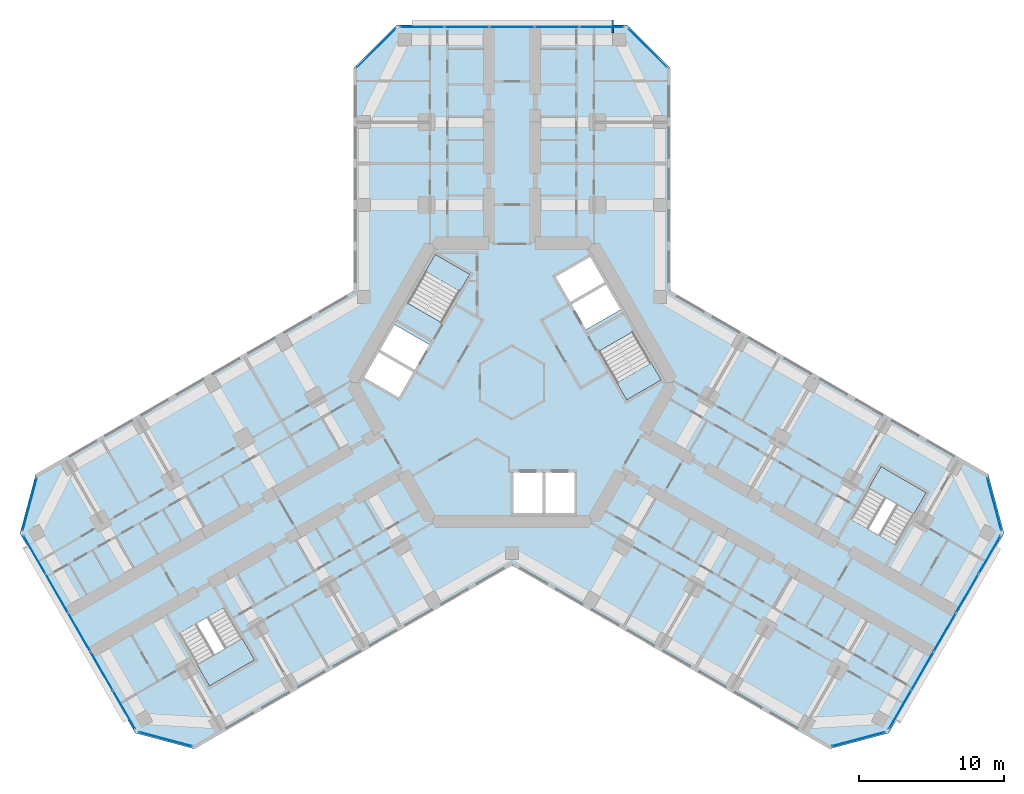
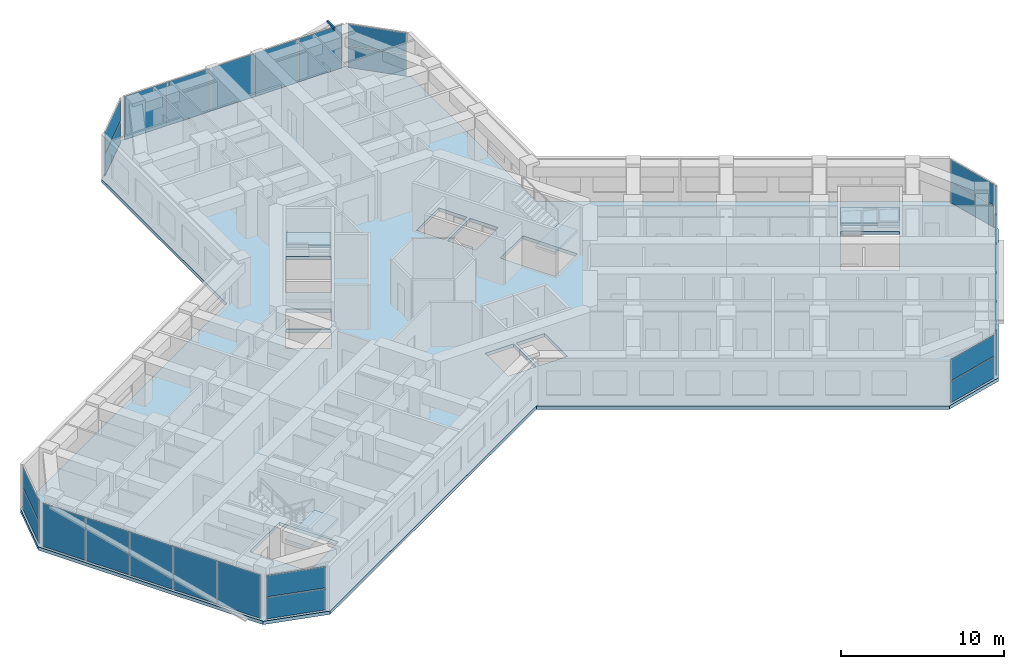
# One storey, part 9 of 19: 27 plates, 5 slabs, 1 member, 13 elements without a shape of their own.
"""IFC4 building model written with IfcOpenShell, lengths in metres."""

from ifc_helpers import new_model, si_unit, direction, frame, origin, origin_2d, place, context, subcontext, project, spatial, polyline, rectangle, hollow_rectangle, outline, extrude, material, layer, layer_set, material_profile, profile_set, type_object, element, aggregate, save


model = new_model("IFC4")

# Units and contexts
model_context = context("Model", 3, precision=1e-05, world=origin(), true_north=direction((0.0, 1.0)))
body_context = subcontext(model_context, "Body", "Model", "MODEL_VIEW")
ifc_project = project(units=[si_unit("LENGTHUNIT", "METRE"), si_unit("AREAUNIT", "SQUARE_METRE"), si_unit("VOLUMEUNIT", "CUBIC_METRE"), si_unit("PLANEANGLEUNIT", "RADIAN"), si_unit("MASSUNIT", "GRAM", prefix="KILO")], contexts=[model_context])

# Site, building, storey
site_placement = place(None, origin())
site = spatial("IfcSite", under=ifc_project, at=site_placement, CompositionType="ELEMENT")
building_placement = place(site_placement, origin())
building = spatial("IfcBuilding", under=site, at=building_placement, Name="Kosmar Iwan School Tower", CompositionType="ELEMENT")
storey_placement = place(building_placement, frame((0.0, 0.0, 172.39990234375)))
storey = spatial("IfcBuildingStorey", under=building, at=storey_placement, Name="L43", CompositionType="ELEMENT", Elevation=172.39990234375)

# Member
ifc_material_1 = material(Name="Steel S355", Category="steel")
ifc_material_profile = material_profile(ifc_material_1, hollow_rectangle(XDim=0.10009765625, YDim=0.199951171875, WallThickness=0.008056640625, at=origin_2d()), Name="RHS 200x100x8")
ifc_profile_set = profile_set([ifc_material_profile], Name="Steel S355")
member_type = type_object("IfcMemberType", Name="Fin bracket RHS 200x100", PredefinedType="USERDEFINED", material=ifc_profile_set)
member_placement = place(storey_placement, frame((6.949951171875, 24.10009765625, 3.47509765625), z_axis=(0.0, 1.0, 0.0), x_axis=(-1.0, 0.0, 0.0)))
element("IfcMember", 1, at=member_placement, inside=storey, type_object=member_type, Name="Fin bracket L44", ObjectType="FIN BRACKET", PredefinedType="USERDEFINED", context=body_context, shape_type="SweptSolid", body=[
    extrude(hollow_rectangle(XDim=0.10009765625, YDim=0.199951171875, WallThickness=0.008056640625, at=origin_2d()), origin(), (0.0, 0.0, 1.0), 0.89990234375),
])

# Curtain wall, plates
ifc_material_2 = material(Name="Dark glass in black aluminium frame", Category="aluminium")
curtain_wall_type_1 = type_object("IfcCurtainWallType", Name="Chamfer curtain wall dark glass", PredefinedType="USERDEFINED", material=ifc_material_2)
curtain_wall_1_placement = place(storey_placement, origin())
curtain_wall_1 = element("IfcCurtainWall", 2, at=curtain_wall_1_placement, inside=storey, type_object=curtain_wall_type_1, Name="Curtain wall L43-F02", ObjectType="FACETED CURTAIN WALL", PredefinedType="USERDEFINED")
ifc_material_3 = material(Name="Dark glass", Category="glass")
ifc_layer_1 = layer(ifc_material_3, 0.028076171875)
ifc_layer_set_1 = layer_set([ifc_layer_1], Name="Dark glass panel 28")
plate_type = type_object("IfcPlateType", Name="Dark glass panel 28", PredefinedType="CURTAIN_PANEL", material=ifc_layer_set_1)
plate_1_placement = place(storey_placement, frame((23.908203125, -24.61328125, 0.06005859375), z_axis=(0.0, 0.0, 1.0), x_axis=(0.965925875495, 0.258818861462, 0.0)))
plate_1 = element("IfcPlate", 3, at=plate_1_placement, type_object=plate_type, Name="CW2 panel 1.1", PredefinedType="CURTAIN_PANEL", context=body_context, shape_type="SweptSolid", body=[
    extrude(rectangle(XDim=3.718994140625, YDim=0.028076171875, at=origin_2d()), origin(), (0.0, 0.0, 1.0), 1.5849609375),
])
plate_2_placement = place(storey_placement, frame((23.908203125, -24.61328125, 1.705078125), z_axis=(0.0, 0.0, 1.0), x_axis=(0.965925875495, 0.258818861462, 0.0)))
plate_2 = element("IfcPlate", 4, at=plate_2_placement, type_object=plate_type, Name="CW2 panel 1.2", PredefinedType="CURTAIN_PANEL", context=body_context, shape_type="SweptSolid", body=[
    extrude(rectangle(XDim=3.718994140625, YDim=0.028076171875, at=origin_2d()), origin(), (0.0, 0.0, 1.0), 1.5849609375),
])
aggregate(curtain_wall_1, [plate_1, plate_2])

ifc_material_4 = material(Name="Dark glass in black aluminium frame", Category="aluminium")
curtain_wall_type_2 = type_object("IfcCurtainWallType", Name="Tower curtain wall dark glass", PredefinedType="USERDEFINED", material=ifc_material_4)
curtain_wall_2_placement = place(storey_placement, origin())
curtain_wall_2 = element("IfcCurtainWall", 5, at=curtain_wall_2_placement, inside=storey, type_object=curtain_wall_type_2, Name="Curtain wall L43-F03", ObjectType="UNITISED CURTAIN WALL", PredefinedType="USERDEFINED")
plate_3_placement = place(storey_placement, frame((26.764404296875, -22.592529296875, 0.06005859375), z_axis=(0.0, 0.0, 1.0), x_axis=(0.499999997325, 0.866025405329, 0.0)))
plate_3 = element("IfcPlate", 6, at=plate_3_placement, type_object=plate_type, Name="CW1 panel 1.1", PredefinedType="CURTAIN_PANEL", context=body_context, shape_type="SweptSolid", body=[
    extrude(rectangle(XDim=3.00927734375, YDim=0.028076171875, at=origin_2d()), origin(), (0.0, 0.0, 1.0), 3.22998046875),
])
plate_4_placement = place(storey_placement, frame((28.306640625, -19.921630859375, 0.06005859375), z_axis=(0.0, 0.0, 1.0), x_axis=(0.499999997325, 0.866025405329, 0.0)))
plate_4 = element("IfcPlate", 7, at=plate_4_placement, type_object=plate_type, Name="CW1 panel 2.1", PredefinedType="CURTAIN_PANEL", context=body_context, shape_type="SweptSolid", body=[
    extrude(rectangle(XDim=3.039306640625, YDim=0.028076171875, at=origin_2d()), origin(), (0.0, 0.0, 1.0), 3.22998046875),
])
plate_5_placement = place(storey_placement, frame((29.856201171875, -17.237548828125, 0.06005859375), z_axis=(0.0, 0.0, 1.0), x_axis=(0.499999997325, 0.866025405329, 0.0)))
plate_5 = element("IfcPlate", 8, at=plate_5_placement, type_object=plate_type, Name="CW1 panel 3.1", PredefinedType="CURTAIN_PANEL", context=body_context, shape_type="SweptSolid", body=[
    extrude(rectangle(XDim=3.039306640625, YDim=0.028076171875, at=origin_2d()), origin(), (0.0, 0.0, 1.0), 3.22998046875),
])
plate_6_placement = place(storey_placement, frame((31.40576171875, -14.553466796875, 0.06005859375), z_axis=(0.0, 0.0, 1.0), x_axis=(0.499999997325, 0.866025405329, 0.0)))
plate_6 = element("IfcPlate", 9, at=plate_6_placement, type_object=plate_type, Name="CW1 panel 4.1", PredefinedType="CURTAIN_PANEL", context=body_context, shape_type="SweptSolid", body=[
    extrude(rectangle(XDim=3.039306640625, YDim=0.028076171875, at=origin_2d()), origin(), (0.0, 0.0, 1.0), 3.22998046875),
])
plate_7_placement = place(storey_placement, frame((32.947998046875, -11.88232421875, 0.06005859375), z_axis=(0.0, 0.0, 1.0), x_axis=(0.499999997325, 0.866025405329, 0.0)))
plate_7 = element("IfcPlate", 10, at=plate_7_placement, type_object=plate_type, Name="CW1 panel 5.1", PredefinedType="CURTAIN_PANEL", context=body_context, shape_type="SweptSolid", body=[
    extrude(rectangle(XDim=3.00927734375, YDim=0.028076171875, at=origin_2d()), origin(), (0.0, 0.0, 1.0), 3.22998046875),
])
aggregate(curtain_wall_2, [plate_3, plate_4, plate_5, plate_6, plate_7])

curtain_wall_3_placement = place(storey_placement, origin())
curtain_wall_3 = element("IfcCurtainWall", 11, at=curtain_wall_3_placement, inside=storey, type_object=curtain_wall_type_1, Name="Curtain wall L43-F04", ObjectType="FACETED CURTAIN WALL", PredefinedType="USERDEFINED")
plate_8_placement = place(storey_placement, frame((33.269775390625, -8.3984375, 0.06005859375), z_axis=(0.0, 0.0, 1.0), x_axis=(-0.258818861462, 0.965925875495, 0.0)))
plate_8 = element("IfcPlate", 12, at=plate_8_placement, type_object=plate_type, Name="CW2 panel 1.1", PredefinedType="CURTAIN_PANEL", context=body_context, shape_type="SweptSolid", body=[
    extrude(rectangle(XDim=3.718994140625, YDim=0.028076171875, at=origin_2d()), origin(), (0.0, 0.0, 1.0), 1.5849609375),
])
plate_9_placement = place(storey_placement, frame((33.269775390625, -8.3984375, 1.705078125), z_axis=(0.0, 0.0, 1.0), x_axis=(-0.258818861462, 0.965925875495, 0.0)))
plate_9 = element("IfcPlate", 13, at=plate_9_placement, type_object=plate_type, Name="CW2 panel 1.2", PredefinedType="CURTAIN_PANEL", context=body_context, shape_type="SweptSolid", body=[
    extrude(rectangle(XDim=3.718994140625, YDim=0.028076171875, at=origin_2d()), origin(), (0.0, 0.0, 1.0), 1.5849609375),
])
aggregate(curtain_wall_3, [plate_8, plate_9])

curtain_wall_4_placement = place(storey_placement, origin())
curtain_wall_4 = element("IfcCurtainWall", 14, at=curtain_wall_4_placement, inside=storey, type_object=curtain_wall_type_1, Name="Curtain wall L43-F07", ObjectType="FACETED CURTAIN WALL", PredefinedType="USERDEFINED")
plate_10_placement = place(storey_placement, frame((9.361572265625, 23.0615234375, 0.06005859375), z_axis=(0.0, 0.0, 1.0), x_axis=(-0.707106781187, 0.707106781187, 0.0)))
plate_10 = element("IfcPlate", 15, at=plate_10_placement, type_object=plate_type, Name="CW2 panel 1.1", PredefinedType="CURTAIN_PANEL", context=body_context, shape_type="SweptSolid", body=[
    extrude(rectangle(XDim=3.718994140625, YDim=0.028076171875, at=origin_2d()), origin(), (0.0, 0.0, 1.0), 1.5849609375),
])
plate_11_placement = place(storey_placement, frame((9.361572265625, 23.0615234375, 1.705078125), z_axis=(0.0, 0.0, 1.0), x_axis=(-0.707106781187, 0.707106781187, 0.0)))
plate_11 = element("IfcPlate", 16, at=plate_11_placement, type_object=plate_type, Name="CW2 panel 1.2", PredefinedType="CURTAIN_PANEL", context=body_context, shape_type="SweptSolid", body=[
    extrude(rectangle(XDim=3.718994140625, YDim=0.028076171875, at=origin_2d()), origin(), (0.0, 0.0, 1.0), 1.5849609375),
])
aggregate(curtain_wall_4, [plate_10, plate_11])

curtain_wall_5_placement = place(storey_placement, origin())
curtain_wall_5 = element("IfcCurtainWall", 17, at=curtain_wall_5_placement, inside=storey, type_object=curtain_wall_type_2, Name="Curtain wall L43-F08", ObjectType="UNITISED CURTAIN WALL", PredefinedType="USERDEFINED")
plate_12_placement = place(storey_placement, frame((6.18359375, 24.52490234375, 0.06005859375), z_axis=(0.0, 0.0, 1.0), x_axis=(-1.0, 0.0, 0.0)))
plate_12 = element("IfcPlate", 18, at=plate_12_placement, type_object=plate_type, Name="CW1 panel 1.1", PredefinedType="CURTAIN_PANEL", context=body_context, shape_type="SweptSolid", body=[
    extrude(rectangle(XDim=3.00927734375, YDim=0.028076171875, at=origin_2d()), origin(), (0.0, 0.0, 1.0), 3.22998046875),
])
plate_13_placement = place(storey_placement, frame((3.099365234375, 24.52490234375, 0.06005859375), z_axis=(0.0, 0.0, 1.0), x_axis=(-1.0, 0.0, 0.0)))
plate_13 = element("IfcPlate", 19, at=plate_13_placement, type_object=plate_type, Name="CW1 panel 2.1", PredefinedType="CURTAIN_PANEL", context=body_context, shape_type="SweptSolid", body=[
    extrude(rectangle(XDim=3.039306640625, YDim=0.028076171875, at=origin_2d()), origin(), (0.0, 0.0, 1.0), 3.22998046875),
])
plate_14_placement = place(storey_placement, frame((0.0, 24.52490234375, 0.06005859375), z_axis=(0.0, 0.0, 1.0), x_axis=(-1.0, 0.0, 0.0)))
plate_14 = element("IfcPlate", 20, at=plate_14_placement, type_object=plate_type, Name="CW1 panel 3.1", PredefinedType="CURTAIN_PANEL", context=body_context, shape_type="SweptSolid", body=[
    extrude(rectangle(XDim=3.039306640625, YDim=0.028076171875, at=origin_2d()), origin(), (0.0, 0.0, 1.0), 3.22998046875),
])
plate_15_placement = place(storey_placement, frame((-3.099365234375, 24.52490234375, 0.06005859375), z_axis=(0.0, 0.0, 1.0), x_axis=(-1.0, 0.0, 0.0)))
plate_15 = element("IfcPlate", 21, at=plate_15_placement, type_object=plate_type, Name="CW1 panel 4.1", PredefinedType="CURTAIN_PANEL", context=body_context, shape_type="SweptSolid", body=[
    extrude(rectangle(XDim=3.039306640625, YDim=0.028076171875, at=origin_2d()), origin(), (0.0, 0.0, 1.0), 3.22998046875),
])
plate_16_placement = place(storey_placement, frame((-6.18359375, 24.52490234375, 0.06005859375), z_axis=(0.0, 0.0, 1.0), x_axis=(-1.0, 0.0, 0.0)))
plate_16 = element("IfcPlate", 22, at=plate_16_placement, type_object=plate_type, Name="CW1 panel 5.1", PredefinedType="CURTAIN_PANEL", context=body_context, shape_type="SweptSolid", body=[
    extrude(rectangle(XDim=3.00927734375, YDim=0.028076171875, at=origin_2d()), origin(), (0.0, 0.0, 1.0), 3.22998046875),
])
aggregate(curtain_wall_5, [plate_12, plate_13, plate_14, plate_15, plate_16])

curtain_wall_6_placement = place(storey_placement, origin())
curtain_wall_6 = element("IfcCurtainWall", 23, at=curtain_wall_6_placement, inside=storey, type_object=curtain_wall_type_1, Name="Curtain wall L43-F09", ObjectType="FACETED CURTAIN WALL", PredefinedType="USERDEFINED")
plate_17_placement = place(storey_placement, frame((-9.361572265625, 23.0615234375, 0.06005859375), z_axis=(0.0, 0.0, 1.0), x_axis=(-0.707106781187, -0.707106781187, 0.0)))
plate_17 = element("IfcPlate", 24, at=plate_17_placement, type_object=plate_type, Name="CW2 panel 1.1", PredefinedType="CURTAIN_PANEL", context=body_context, shape_type="SweptSolid", body=[
    extrude(rectangle(XDim=3.718994140625, YDim=0.028076171875, at=origin_2d()), origin(), (0.0, 0.0, 1.0), 1.5849609375),
])
plate_18_placement = place(storey_placement, frame((-9.361572265625, 23.0615234375, 1.705078125), z_axis=(0.0, 0.0, 1.0), x_axis=(-0.707106781187, -0.707106781187, 0.0)))
plate_18 = element("IfcPlate", 25, at=plate_18_placement, type_object=plate_type, Name="CW2 panel 1.2", PredefinedType="CURTAIN_PANEL", context=body_context, shape_type="SweptSolid", body=[
    extrude(rectangle(XDim=3.718994140625, YDim=0.028076171875, at=origin_2d()), origin(), (0.0, 0.0, 1.0), 1.5849609375),
])
aggregate(curtain_wall_6, [plate_17, plate_18])

curtain_wall_7_placement = place(storey_placement, origin())
curtain_wall_7 = element("IfcCurtainWall", 26, at=curtain_wall_7_placement, inside=storey, type_object=curtain_wall_type_1, Name="Curtain wall L43-F12", ObjectType="FACETED CURTAIN WALL", PredefinedType="USERDEFINED")
plate_19_placement = place(storey_placement, frame((-33.269775390625, -8.3984375, 0.06005859375), z_axis=(0.0, 0.0, 1.0), x_axis=(-0.258818861462, -0.965925875495, 0.0)))
plate_19 = element("IfcPlate", 27, at=plate_19_placement, type_object=plate_type, Name="CW2 panel 1.1", PredefinedType="CURTAIN_PANEL", context=body_context, shape_type="SweptSolid", body=[
    extrude(rectangle(XDim=3.718994140625, YDim=0.028076171875, at=origin_2d()), origin(), (0.0, 0.0, 1.0), 1.5849609375),
])
plate_20_placement = place(storey_placement, frame((-33.269775390625, -8.3984375, 1.705078125), z_axis=(0.0, 0.0, 1.0), x_axis=(-0.258818861462, -0.965925875495, 0.0)))
plate_20 = element("IfcPlate", 28, at=plate_20_placement, type_object=plate_type, Name="CW2 panel 1.2", PredefinedType="CURTAIN_PANEL", context=body_context, shape_type="SweptSolid", body=[
    extrude(rectangle(XDim=3.718994140625, YDim=0.028076171875, at=origin_2d()), origin(), (0.0, 0.0, 1.0), 1.5849609375),
])
aggregate(curtain_wall_7, [plate_19, plate_20])

curtain_wall_8_placement = place(storey_placement, origin())
curtain_wall_8 = element("IfcCurtainWall", 29, at=curtain_wall_8_placement, inside=storey, type_object=curtain_wall_type_2, Name="Curtain wall L43-F13", ObjectType="UNITISED CURTAIN WALL", PredefinedType="USERDEFINED")
plate_21_placement = place(storey_placement, frame((-32.947998046875, -11.88232421875, 0.06005859375), z_axis=(0.0, 0.0, 1.0), x_axis=(0.499999997325, -0.866025405329, 0.0)))
plate_21 = element("IfcPlate", 30, at=plate_21_placement, type_object=plate_type, Name="CW1 panel 1.1", PredefinedType="CURTAIN_PANEL", context=body_context, shape_type="SweptSolid", body=[
    extrude(rectangle(XDim=3.00927734375, YDim=0.028076171875, at=origin_2d()), origin(), (0.0, 0.0, 1.0), 3.22998046875),
])
plate_22_placement = place(storey_placement, frame((-31.40576171875, -14.553466796875, 0.06005859375), z_axis=(0.0, 0.0, 1.0), x_axis=(0.499999997325, -0.866025405329, 0.0)))
plate_22 = element("IfcPlate", 31, at=plate_22_placement, type_object=plate_type, Name="CW1 panel 2.1", PredefinedType="CURTAIN_PANEL", context=body_context, shape_type="SweptSolid", body=[
    extrude(rectangle(XDim=3.039306640625, YDim=0.028076171875, at=origin_2d()), origin(), (0.0, 0.0, 1.0), 3.22998046875),
])
plate_23_placement = place(storey_placement, frame((-29.856201171875, -17.237548828125, 0.06005859375), z_axis=(0.0, 0.0, 1.0), x_axis=(0.499999997325, -0.866025405329, 0.0)))
plate_23 = element("IfcPlate", 32, at=plate_23_placement, type_object=plate_type, Name="CW1 panel 3.1", PredefinedType="CURTAIN_PANEL", context=body_context, shape_type="SweptSolid", body=[
    extrude(rectangle(XDim=3.039306640625, YDim=0.028076171875, at=origin_2d()), origin(), (0.0, 0.0, 1.0), 3.22998046875),
])
plate_24_placement = place(storey_placement, frame((-28.306640625, -19.921630859375, 0.06005859375), z_axis=(0.0, 0.0, 1.0), x_axis=(0.499999997325, -0.866025405329, 0.0)))
plate_24 = element("IfcPlate", 33, at=plate_24_placement, type_object=plate_type, Name="CW1 panel 4.1", PredefinedType="CURTAIN_PANEL", context=body_context, shape_type="SweptSolid", body=[
    extrude(rectangle(XDim=3.039306640625, YDim=0.028076171875, at=origin_2d()), origin(), (0.0, 0.0, 1.0), 3.22998046875),
])
plate_25_placement = place(storey_placement, frame((-26.764404296875, -22.592529296875, 0.06005859375), z_axis=(0.0, 0.0, 1.0), x_axis=(0.499999997325, -0.866025405329, 0.0)))
plate_25 = element("IfcPlate", 34, at=plate_25_placement, type_object=plate_type, Name="CW1 panel 5.1", PredefinedType="CURTAIN_PANEL", context=body_context, shape_type="SweptSolid", body=[
    extrude(rectangle(XDim=3.00927734375, YDim=0.028076171875, at=origin_2d()), origin(), (0.0, 0.0, 1.0), 3.22998046875),
])
aggregate(curtain_wall_8, [plate_21, plate_22, plate_23, plate_24, plate_25])

curtain_wall_9_placement = place(storey_placement, origin())
curtain_wall_9 = element("IfcCurtainWall", 35, at=curtain_wall_9_placement, inside=storey, type_object=curtain_wall_type_1, Name="Curtain wall L43-F14", ObjectType="FACETED CURTAIN WALL", PredefinedType="USERDEFINED")
plate_26_placement = place(storey_placement, frame((-23.908203125, -24.61328125, 0.06005859375), z_axis=(0.0, 0.0, 1.0), x_axis=(0.965925875495, -0.258818861462, 0.0)))
plate_26 = element("IfcPlate", 36, at=plate_26_placement, type_object=plate_type, Name="CW2 panel 1.1", PredefinedType="CURTAIN_PANEL", context=body_context, shape_type="SweptSolid", body=[
    extrude(rectangle(XDim=3.718994140625, YDim=0.028076171875, at=origin_2d()), origin(), (0.0, 0.0, 1.0), 1.5849609375),
])
plate_27_placement = place(storey_placement, frame((-23.908203125, -24.61328125, 1.705078125), z_axis=(0.0, 0.0, 1.0), x_axis=(0.965925875495, -0.258818861462, 0.0)))
plate_27 = element("IfcPlate", 37, at=plate_27_placement, type_object=plate_type, Name="CW2 panel 1.2", PredefinedType="CURTAIN_PANEL", context=body_context, shape_type="SweptSolid", body=[
    extrude(rectangle(XDim=3.718994140625, YDim=0.028076171875, at=origin_2d()), origin(), (0.0, 0.0, 1.0), 1.5849609375),
])
aggregate(curtain_wall_9, [plate_26, plate_27])

# Stair, slab
ifc_material_5 = material(Name="Concrete C35/45", Category="concrete")
stair_type_1 = type_object("IfcStairType", Name="Escape stair 3600", PredefinedType="HALF_TURN_STAIR", material=ifc_material_5)
stair_1_placement = place(storey_placement, origin())
stair_1 = element("IfcStair", 38, at=stair_1_placement, inside=storey, type_object=stair_type_1, Name="Stair WS2 L43", PredefinedType="HALF_TURN_STAIR")
ifc_material_6 = material(Name="Concrete C35/45", Category="concrete")
ifc_layer_2 = layer(ifc_material_6, 0.199951171875)
ifc_layer_set_2 = layer_set([ifc_layer_2], Name="Escape stair landing 200")
slab_type_1 = type_object("IfcSlabType", Name="Escape stair landing 200", PredefinedType="LANDING", material=ifc_layer_set_2)
slab_1_placement = place(storey_placement, frame((0.0, 0.0, 1.60009765625)))
slab_1 = element("IfcSlab", 39, at=slab_1_placement, type_object=slab_type_1, Name="WS2 landing 1", PredefinedType="LANDING", context=body_context, shape_type="SweptSolid", body=[
    extrude(outline(polyline([(-18.607421875, -17.671142578125), (-21.72509765625, -19.47119140625), (-20.875, -20.943359375), (-17.75732421875, -19.143310546875), (-18.607421875, -17.671142578125)])), origin(), (0.0, 0.0, 1.0), 0.199951171875),
])
aggregate(stair_1, [slab_1])

stair_2_placement = place(storey_placement, origin())
stair_2 = element("IfcStair", 40, at=stair_2_placement, inside=storey, type_object=stair_type_1, Name="Stair WS3 L43", PredefinedType="HALF_TURN_STAIR")
slab_2_placement = place(storey_placement, frame((0.0, 0.0, 1.60009765625)))
slab_2 = element("IfcSlab", 41, at=slab_2_placement, type_object=slab_type_1, Name="WS3 landing 1", PredefinedType="LANDING", context=body_context, shape_type="SweptSolid", body=[
    extrude(outline(polyline([(24.607421875, -7.27880859375), (27.72509765625, -9.078857421875), (28.574951171875, -7.606689453125), (25.457275390625, -5.806640625), (24.607421875, -7.27880859375)])), origin(), (0.0, 0.0, 1.0), 0.199951171875),
])
aggregate(stair_2, [slab_2])

# Slab
ifc_material_7 = material(Name="Concrete C35/45", Category="concrete")
ifc_layer_3 = layer(ifc_material_7, 0.25)
ifc_layer_set_3 = layer_set([ifc_layer_3], Name="Floor slab 250")
slab_type_2 = type_object("IfcSlabType", Name="Floor slab 250", PredefinedType="FLOOR", material=ifc_layer_set_3)
slab_3_placement = place(storey_placement, frame((0.0, 0.0, -0.25)))
element("IfcSlab", 42, at=slab_3_placement, inside=storey, type_object=slab_type_2, Name="L43 floor slab", PredefinedType="FLOOR", context=body_context, shape_type="SweptSolid", body=[
    extrude(outline(polyline([(-21.891357421875, -25.282958984375), (0.0, -12.64404296875), (21.891357421875, -25.282958984375), (25.989501953125, -24.184814453125), (33.939453125, -10.4150390625), (32.84130859375, -6.317138671875), (10.949951171875, 6.322021484375), (10.949951171875, 21.64990234375), (7.949951171875, 24.64990234375), (-7.949951171875, 24.64990234375), (-10.949951171875, 21.64990234375), (-10.949951171875, 6.322021484375), (-32.84130859375, -6.317138671875), (-33.939453125, -10.4150390625), (-25.989501953125, -24.184814453125), (-21.891357421875, -25.282958984375)]), holes=[polyline([(7.91259765625, -1.205078125), (10.294189453125, 0.169921875), (8.3642578125, 3.5126953125), (5.982666015625, 2.1376953125), (7.91259765625, -1.205078125)]), polyline([(-2.91259765625, 7.455078125), (-5.294189453125, 8.830078125), (-7.22412109375, 5.4873046875), (-4.8427734375, 4.1123046875), (-2.91259765625, 7.455078125)]), polyline([(-5.712646484375, 2.60546875), (-8.09423828125, 3.98046875), (-9.09423828125, 2.248291015625), (-6.712646484375, 0.873291015625), (-5.712646484375, 2.60546875)]), polyline([(-6.812744140625, 0.7001953125), (-9.1943359375, 2.0751953125), (-10.1943359375, 0.343017578125), (-7.812744140625, -1.031982421875), (-6.812744140625, 0.7001953125)]), polyline([(5.112548828125, 3.64453125), (7.494140625, 5.01953125), (6.494140625, 6.751708984375), (4.112548828125, 5.376708984375), (5.112548828125, 3.64453125)]), polyline([(4.0126953125, 5.5498046875), (6.394287109375, 6.9248046875), (5.394287109375, 8.656982421875), (3.0126953125, 7.281982421875), (4.0126953125, 5.5498046875)]), polyline([(0.10009765625, -6.199951171875), (0.10009765625, -9.0), (2.10009765625, -9.0), (2.10009765625, -6.199951171875), (0.10009765625, -6.199951171875)]), polyline([(2.300048828125, -6.199951171875), (2.300048828125, -9.0), (4.300048828125, -9.0), (4.300048828125, -6.199951171875), (2.300048828125, -6.199951171875)]), polyline([(-19.847412109375, -15.5234375), (-22.965087890625, -17.323486328125), (-20.875, -20.943359375), (-17.75732421875, -19.143310546875), (-19.847412109375, -15.5234375)]), polyline([(23.367431640625, -9.426513671875), (26.485107421875, -11.2265625), (28.574951171875, -7.606689453125), (25.457275390625, -5.806640625), (23.367431640625, -9.426513671875)])]), origin(), (0.0, 0.0, 1.0), 0.25),
])

# Stair, slab
ifc_material_8 = material(Name="Concrete C35/45", Category="concrete")
stair_type_2 = type_object("IfcStairType", Name="Core stair 2750", PredefinedType="HALF_TURN_STAIR", material=ifc_material_8)
stair_3_placement = place(storey_placement, origin())
stair_3 = element("IfcStair", 43, at=stair_3_placement, inside=storey, type_object=stair_type_2, Name="Stair ST2 L43", PredefinedType="HALF_TURN_STAIR")
ifc_material_9 = material(Name="Concrete C35/45", Category="concrete")
ifc_layer_4 = layer(ifc_material_9, 0.199951171875)
ifc_layer_set_4 = layer_set([ifc_layer_4], Name="Stair landing 200")
slab_type_3 = type_object("IfcSlabType", Name="Stair landing 200", PredefinedType="LANDING", material=ifc_layer_set_4)
slab_4_placement = place(storey_placement, frame((0.0, 0.0, 1.60009765625)))
slab_4 = element("IfcSlab", 44, at=slab_4_placement, type_object=slab_type_3, Name="ST2 landing 1", PredefinedType="LANDING", context=body_context, shape_type="SweptSolid", body=[
    extrude(outline(polyline([(-2.91259765625, 7.455078125), (-5.294189453125, 8.830078125), (-5.97412109375, 7.65234375), (-3.5927734375, 6.27734375), (-2.91259765625, 7.455078125)])), origin(), (0.0, 0.0, 1.0), 0.199951171875),
])
aggregate(stair_3, [slab_4])

stair_4_placement = place(storey_placement, origin())
stair_4 = element("IfcStair", 45, at=stair_4_placement, inside=storey, type_object=stair_type_2, Name="Stair ST1 L43", PredefinedType="HALF_TURN_STAIR")
slab_5_placement = place(storey_placement, frame((0.0, 0.0, 1.60009765625)))
slab_5 = element("IfcSlab", 46, at=slab_5_placement, type_object=slab_type_3, Name="ST1 landing 1", PredefinedType="LANDING", context=body_context, shape_type="SweptSolid", body=[
    extrude(outline(polyline([(7.91259765625, -1.205078125), (10.294189453125, 0.169921875), (9.6142578125, 1.34765625), (7.232666015625, -0.02734375), (7.91259765625, -1.205078125)])), origin(), (0.0, 0.0, 1.0), 0.199951171875),
])
aggregate(stair_4, [slab_5])

save(model, "model.ifc")
